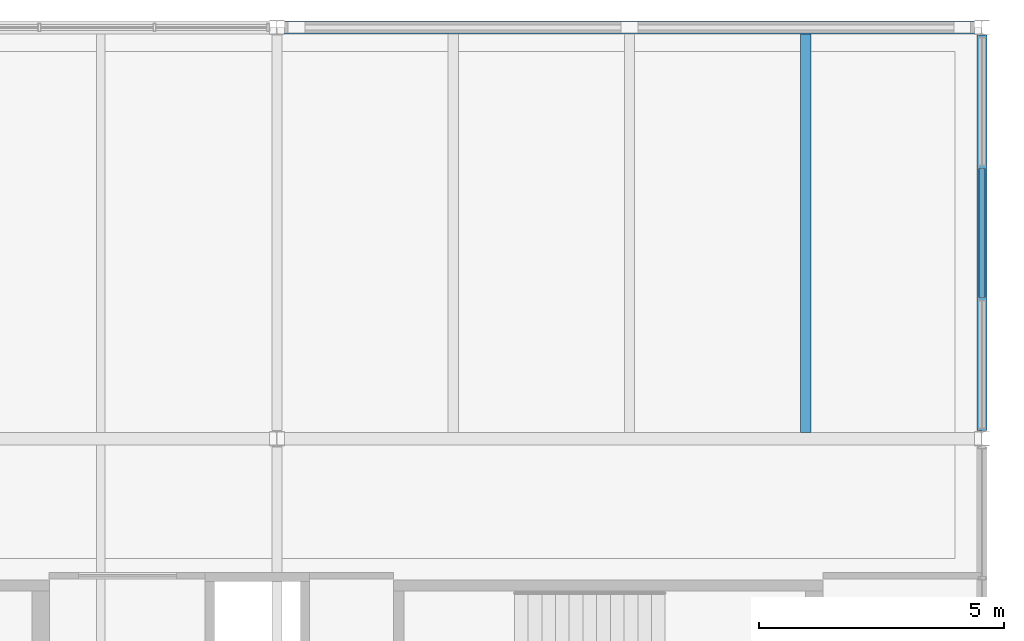
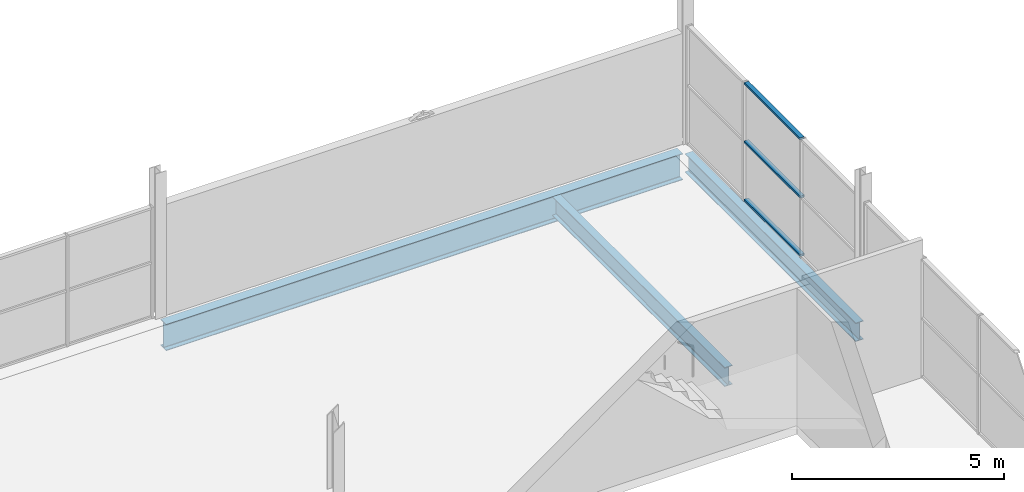
# One storey, part 51 of 68: 3 beams, 3 members, 1 element without a shape of its own.
"""IFC4 building model written with IfcOpenShell, lengths in metres."""

from ifc_helpers import new_model, si_unit, direction, frame, origin, origin_2d, place, context, subcontext, project, spatial, hollow_rectangle, i_section, extrude, material, material_profile, profile_set, type_object, element, aggregate, save


model = new_model("IFC4")

# Units and contexts
model_context = context("Model", 3, precision=1e-05, world=origin(), true_north=direction((0.0, 1.0)))
body_context = subcontext(model_context, "Body", "Model", "MODEL_VIEW")
ifc_project = project(units=[si_unit("LENGTHUNIT", "METRE"), si_unit("AREAUNIT", "SQUARE_METRE"), si_unit("VOLUMEUNIT", "CUBIC_METRE"), si_unit("PLANEANGLEUNIT", "RADIAN"), si_unit("MASSUNIT", "GRAM", prefix="KILO"), si_unit("THERMODYNAMICTEMPERATUREUNIT", "KELVIN")], contexts=[model_context])

# Site, building, storey
site_placement = place(None, origin())
site = spatial("IfcSite", under=ifc_project, at=site_placement, CompositionType="ELEMENT")
building_placement = place(site_placement, origin())
building = spatial("IfcBuilding", under=site, at=building_placement, Name="Nduvali Passage Aquatics Centre", CompositionType="ELEMENT")
storey_placement = place(building_placement, frame((0.0, 0.0, 13.199951171875)))
storey = spatial("IfcBuildingStorey", under=building, at=storey_placement, Name="L03", CompositionType="ELEMENT", Elevation=13.199951171875)

# Curtain wall, members
ifc_material_1 = material(Name="Aluminium EN AW-6063 T6", Category="aluminium")
curtain_wall_type = type_object("IfcCurtainWallType", Name="ENV-CW-PASS", PredefinedType="NOTDEFINED", material=ifc_material_1)
curtain_wall_placement = place(storey_placement, origin())
curtain_wall = element("IfcCurtainWall", 1, at=curtain_wall_placement, inside=storey, type_object=curtain_wall_type, Name="L03 East Passage North Teaching CW 126", PredefinedType="NOTDEFINED")
ifc_material_profile_1 = material_profile(ifc_material_1, hollow_rectangle(XDim=0.1201171875, YDim=0.06005859375, WallThickness=0.00390625, at=origin_2d()), Name="ALU TRANSOM 120x60x4")
ifc_profile_set_1 = profile_set([ifc_material_profile_1], Name="Aluminium EN AW-6063 T6")
member_type = type_object("IfcMemberType", Name="ENV-MEM-TRN60", PredefinedType="USERDEFINED", material=ifc_profile_set_1)
member_1_placement = place(storey_placement, frame((126.0, 112.080078125, 0.030029296875), z_axis=(0.0, 1.0, 0.0), x_axis=(-1.0, 0.0, 0.0)))
member_1 = element("IfcMember", 2, at=member_1_placement, type_object=member_type, Name="East Passage North Teaching CW Transom B2-R0", ObjectType="TRANSOM", PredefinedType="USERDEFINED", context=body_context, shape_type="SweptSolid", body=[
    extrude(hollow_rectangle(XDim=0.1201171875, YDim=0.06005859375, WallThickness=0.00390625, at=origin_2d()), origin(), (0.0, 0.0, 1.0), 2.639892578125),
])
member_2_placement = place(storey_placement, frame((126.0, 112.080078125, 1.71337890625), z_axis=(0.0, 1.0, 0.0), x_axis=(-1.0, 0.0, 0.0)))
member_2 = element("IfcMember", 3, at=member_2_placement, type_object=member_type, Name="East Passage North Teaching CW Transom B2-R1", ObjectType="TRANSOM", PredefinedType="USERDEFINED", context=body_context, shape_type="SweptSolid", body=[
    extrude(hollow_rectangle(XDim=0.1201171875, YDim=0.06005859375, WallThickness=0.00390625, at=origin_2d()), origin(), (0.0, 0.0, 1.0), 2.639892578125),
])
member_3_placement = place(storey_placement, frame((126.0, 112.080078125, 3.396728515625), z_axis=(0.0, 1.0, 0.0), x_axis=(-1.0, 0.0, 0.0)))
member_3 = element("IfcMember", 4, at=member_3_placement, type_object=member_type, Name="East Passage North Teaching CW Transom B2-R2", ObjectType="TRANSOM", PredefinedType="USERDEFINED", context=body_context, shape_type="SweptSolid", body=[
    extrude(hollow_rectangle(XDim=0.1201171875, YDim=0.06005859375, WallThickness=0.00390625, at=origin_2d()), origin(), (0.0, 0.0, 1.0), 2.639892578125),
])
aggregate(curtain_wall, [member_1, member_2, member_3])

# Beams
ifc_material_2 = material(Name="Steel S355", Category="steel")
ifc_material_profile_2 = material_profile(ifc_material_2, i_section(OverallWidth=0.210693359375, OverallDepth=0.53955078125, WebThickness=0.01171875, FlangeThickness=0.018798828125, FilletRadius=0.0126953125, at=origin_2d()), Name="UKB 533x210x109")
ifc_profile_set_2 = profile_set([ifc_material_profile_2], Name="Steel S355")
beam_type_1 = type_object("IfcBeamType", Name="STR-BM-UKB533-EXT", PredefinedType="BEAM", material=ifc_profile_set_2)
beam_1_placement = place(storey_placement, frame((126.0, 109.3701171875, -0.523681640625), z_axis=(0.0, 1.0, 0.0), x_axis=(-1.0, 0.0, 0.0)))
element("IfcBeam", 5, at=beam_1_placement, inside=storey, type_object=beam_type_1, Name="L03 Primary Y-Girder B6E-1283", PredefinedType="BEAM", context=body_context, shape_type="SweptSolid", body=[
    extrude(i_section(OverallWidth=0.210693359375, OverallDepth=0.53955078125, WebThickness=0.01171875, FlangeThickness=0.018798828125, FilletRadius=0.0126953125, at=origin_2d()), origin(), (0.0, 0.0, 1.0), 8.06982421875),
])
ifc_material_profile_3 = material_profile(ifc_material_2, i_section(OverallWidth=0.2666015625, OverallDepth=0.76220703125, WebThickness=0.014404296875, FlangeThickness=0.021484375, FilletRadius=0.0166015625, at=origin_2d()), Name="UKB 762x267x173")
ifc_profile_set_3 = profile_set([ifc_material_profile_3], Name="Steel S355")
beam_type_2 = type_object("IfcBeamType", Name="STR-BM-UKB762-EXT", PredefinedType="BEAM", material=ifc_profile_set_3)
beam_2_placement = place(storey_placement, frame((111.75, 117.60009765625, -0.635009765625), z_axis=(1.0, 0.0, 0.0), x_axis=(0.0, 1.0, 0.0)))
element("IfcBeam", 6, at=beam_2_placement, inside=storey, type_object=beam_type_2, Name="L03 Primary X-Girder B4CE-1238", PredefinedType="BEAM", context=body_context, shape_type="SweptSolid", body=[
    extrude(i_section(OverallWidth=0.2666015625, OverallDepth=0.76220703125, WebThickness=0.014404296875, FlangeThickness=0.021484375, FilletRadius=0.0166015625, at=origin_2d()), origin(), (0.0, 0.0, 1.0), 14.10009765625),
])
ifc_material_profile_4 = material_profile(ifc_material_2, i_section(OverallWidth=0.2099609375, OverallDepth=0.550048828125, WebThickness=0.010986328125, FlangeThickness=0.01708984375, FilletRadius=0.02392578125, at=origin_2d()), Name="IPE 550")
ifc_profile_set_4 = profile_set([ifc_material_profile_4], Name="Steel S355")
beam_type_3 = type_object("IfcBeamType", Name="STR-JST-IPE550", PredefinedType="JOIST", material=ifc_profile_set_4)
beam_3_placement = place(storey_placement, frame((122.39990234375, 109.326904296875, -0.529052734375), z_axis=(0.0, 1.0, 0.0), x_axis=(-1.0, 0.0, 0.0)))
element("IfcBeam", 7, at=beam_3_placement, inside=storey, type_object=beam_type_3, Name="L03 Secondary Joist J5C-1320", PredefinedType="JOIST", context=body_context, shape_type="SweptSolid", body=[
    extrude(i_section(OverallWidth=0.2099609375, OverallDepth=0.550048828125, WebThickness=0.010986328125, FlangeThickness=0.01708984375, FilletRadius=0.02392578125, at=origin_2d()), origin(), (0.0, 0.0, 1.0), 8.139892578125),
])

save(model, "model.ifc")
